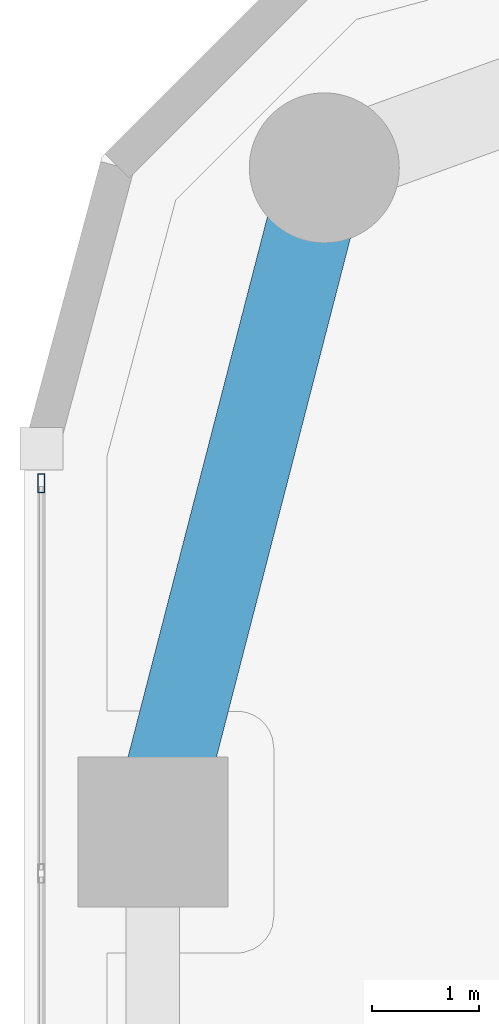
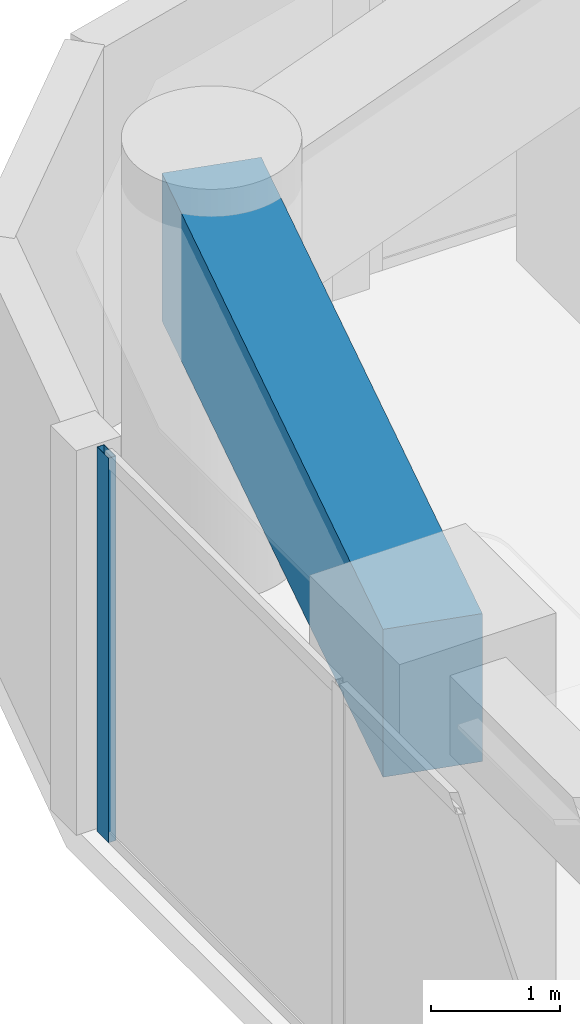
# One storey, part 11 of 24: 1 beam, 1 member, 1 element without a shape of its own.
"""IFC4 building model written with IfcOpenShell, lengths in metres."""

from ifc_helpers import new_model, si_unit, direction, frame, origin, origin_2d, place, context, subcontext, project, spatial, rectangle, hollow_rectangle, extrude, material, layer, layer_set, material_profile, profile_set, type_object, element, aggregate, save


model = new_model("IFC4")

# Units and contexts
model_context = context("Model", 3, precision=1e-05, world=origin(), true_north=direction((0.0, 1.0)))
body_context = subcontext(model_context, "Body", "Model", "MODEL_VIEW")
ifc_project = project(units=[si_unit("LENGTHUNIT", "METRE"), si_unit("AREAUNIT", "SQUARE_METRE"), si_unit("VOLUMEUNIT", "CUBIC_METRE"), si_unit("PLANEANGLEUNIT", "RADIAN"), si_unit("MASSUNIT", "GRAM", prefix="KILO")], contexts=[model_context])

# Site, building, storey
site_placement = place(None, origin())
site = spatial("IfcSite", under=ifc_project, at=site_placement, CompositionType="ELEMENT")
building_placement = place(site_placement, origin())
building = spatial("IfcBuilding", under=site, at=building_placement, Name="Kiyonajd Concourse Tower", CompositionType="ELEMENT")
storey_placement = place(building_placement, frame((0.0, 0.0, 113.10009765625)))
storey = spatial("IfcBuildingStorey", under=building, at=storey_placement, Name="L29", CompositionType="ELEMENT", Elevation=113.10009765625)

# Beam
ifc_material_1 = material(Name="Concrete C60/75", Category="concrete")
ifc_material_profile_1 = material_profile(ifc_material_1, rectangle(XDim=0.800048828125, YDim=1.39990234375, at=origin_2d()), Name="RCBM-800x1400")
ifc_profile_set_1 = profile_set([ifc_material_profile_1], Name="Concrete C60/75")
beam_type = type_object("IfcBeamType", Name="BM-XFER-RC", PredefinedType="BEAM", material=ifc_profile_set_1)
beam_placement = place(storey_placement, frame((20.800048828125, 59.60009765625, 2.93994140625), z_axis=(-0.249884937687, -0.968275538221, 0.0), x_axis=(0.968275538221, -0.249884937687, 0.0)))
element("IfcBeam", 1, at=beam_placement, inside=storey, type_object=beam_type, Name="L29 Perimeter Bundled Tube Spandrel", PredefinedType="BEAM", context=body_context, shape_type="SweptSolid", body=[
    extrude(rectangle(XDim=0.800048828125, YDim=1.39990234375, at=origin_2d()), origin(), (0.0, 0.0, 1.0), 6.4033203125),
])

# Curtain wall, member
ifc_material_2 = material(Name="Thermally Broken Anodised Aluminium", Category="aluminium")
ifc_layer = layer(ifc_material_2, 0.179931640625)
ifc_layer_set = layer_set([ifc_layer], Name="Thermally Broken Anodised Aluminium")
curtain_wall_type = type_object("IfcCurtainWallType", Name="CW-SYS-03", PredefinedType="NOTDEFINED", material=ifc_layer_set)
curtain_wall_placement = place(storey_placement, origin())
curtain_wall = element("IfcCurtainWall", 2, at=curtain_wall_placement, inside=storey, type_object=curtain_wall_type, Name="L29 Unitised Curtain Wall CW3", PredefinedType="NOTDEFINED")
ifc_material_profile_2 = material_profile(ifc_material_2, hollow_rectangle(XDim=0.06494140625, YDim=0.179931640625, WallThickness=0.00390625, at=origin_2d()), Name="MULL-65x180")
ifc_profile_set_2 = profile_set([ifc_material_profile_2], Name="Thermally Broken Anodised Aluminium")
member_type = type_object("IfcMemberType", Name="MB-CW-MULL1", PredefinedType="MULLION", material=ifc_profile_set_2)
member_placement = place(storey_placement, frame((18.159912109375, 56.656494140625, 0.0), z_axis=(0.0, 0.0, 1.0), x_axis=(-1.0, 0.0, 0.0)))
member = element("IfcMember", 3, at=member_placement, type_object=member_type, Name="CW3 mullion 7", PredefinedType="MULLION", context=body_context, shape_type="SweptSolid", body=[
    extrude(hollow_rectangle(XDim=0.06494140625, YDim=0.179931640625, WallThickness=0.00390625, at=origin_2d()), origin(), (0.0, 0.0, 1.0), 3.639892578125),
])
aggregate(curtain_wall, [member])

save(model, "model.ifc")
